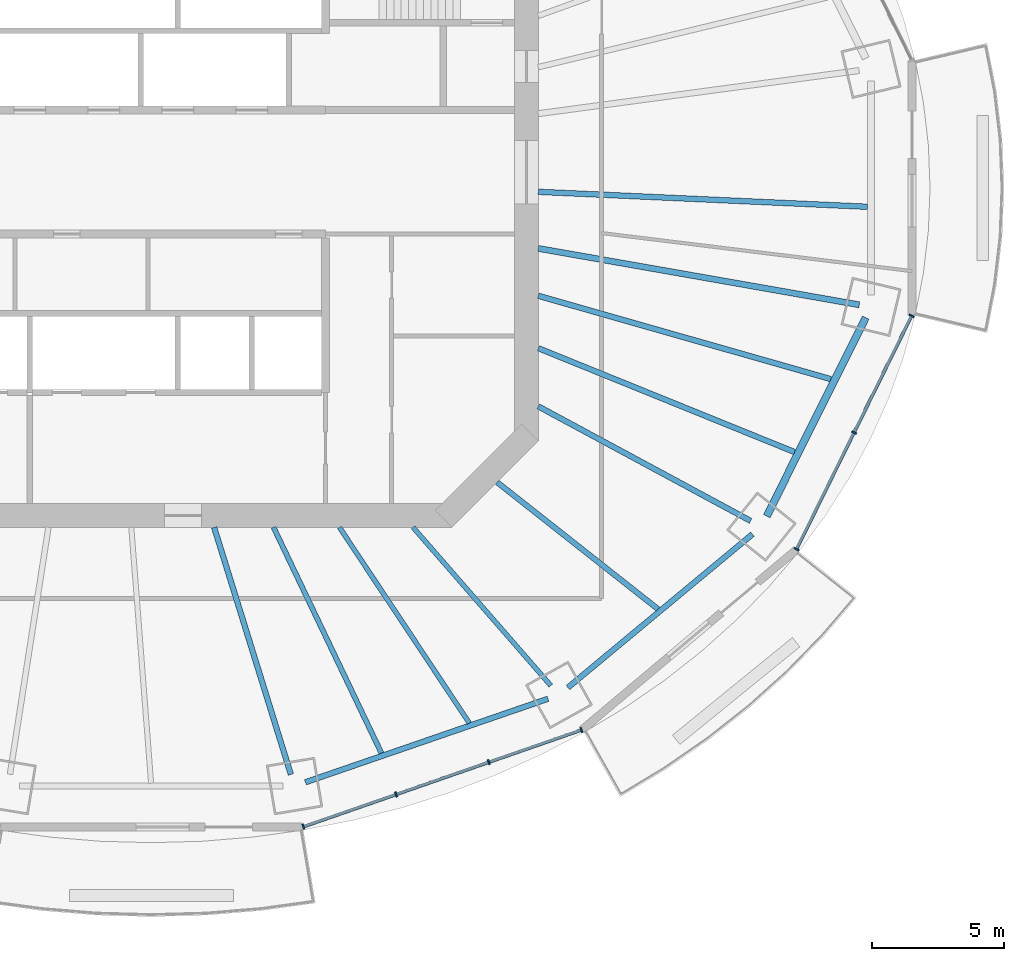
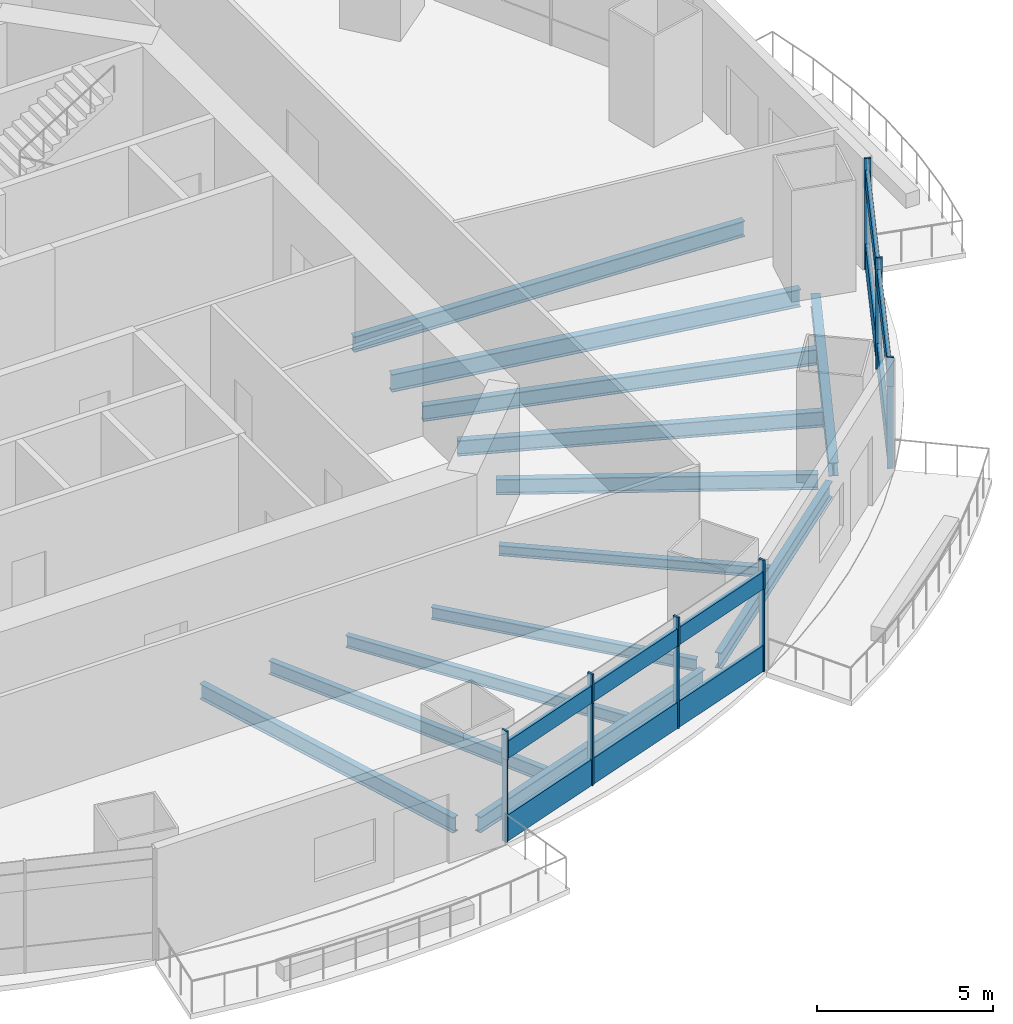
# One storey, part 4 of 16: 18 members, 13 beams, 4 elements without a shape of their own.
"""IFC4 building model written with IfcOpenShell, lengths in metres."""

from ifc_helpers import new_model, si_unit, direction, frame, origin, origin_2d, place, context, subcontext, project, spatial, rectangle, i_section, extrude, material, material_profile, profile_set, type_object, element, aggregate, save


model = new_model("IFC4")

# Units and contexts
model_context = context("Model", 3, precision=1e-05, world=origin(), true_north=direction((0.0, 1.0)))
body_context = subcontext(model_context, "Body", "Model", "MODEL_VIEW")
ifc_project = project(units=[si_unit("LENGTHUNIT", "METRE"), si_unit("AREAUNIT", "SQUARE_METRE"), si_unit("VOLUMEUNIT", "CUBIC_METRE"), si_unit("PLANEANGLEUNIT", "RADIAN"), si_unit("MASSUNIT", "GRAM", prefix="KILO")], contexts=[model_context])

# Site, building, storey
site_placement = place(None, origin())
site = spatial("IfcSite", under=ifc_project, at=site_placement, CompositionType="ELEMENT")
building_placement = place(site_placement, origin())
building = spatial("IfcBuilding", under=site, at=building_placement, Name="Marenthal Gate Tower", CompositionType="ELEMENT")
storey_placement = place(building_placement, frame((0.0, 0.0, 268.949951171875)))
storey = spatial("IfcBuildingStorey", under=building, at=storey_placement, Name="L60", CompositionType="ELEMENT", Elevation=268.949951171875)

# Curtain wall, members
ifc_material_1 = material(Name="Aluminium and glass", Category="aluminium")
curtain_wall_type_1 = type_object("IfcCurtainWallType", Name="Curtain wall typical mid", PredefinedType="NOTDEFINED", material=ifc_material_1)
curtain_wall_1_placement = place(storey_placement, origin())
curtain_wall_1 = element("IfcCurtainWall", 1, at=curtain_wall_1_placement, inside=storey, type_object=curtain_wall_type_1, Name="Curtain wall L60 bay 13", PredefinedType="NOTDEFINED")
ifc_material_2 = material(Name="Aluminium", Category="aluminium")
ifc_material_profile_1 = material_profile(ifc_material_2, rectangle(XDim=0.179931640625, YDim=0.06005859375, at=origin_2d()), Name="60x180 aluminium mullion")
ifc_profile_set_1 = profile_set([ifc_material_profile_1], Name="Aluminium")
member_type_1 = type_object("IfcMemberType", Name="Mullion 60x180 typical mid", PredefinedType="MULLION", material=ifc_profile_set_1)
member_1_placement = place(storey_placement, frame((7.556396484375, -24.7841796875, 0.0), z_axis=(0.0, 0.0, 1.0), x_axis=(-0.328669787971, 0.944444900709, 0.0)))
member_1 = element("IfcMember", 2, at=member_1_placement, type_object=member_type_1, Name="Mullion L60 bay 13.1", PredefinedType="MULLION", context=body_context, shape_type="SweptSolid", body=[
    extrude(rectangle(XDim=0.179931640625, YDim=0.06005859375, at=origin_2d()), origin(), (0.0, 0.0, 1.0), 2.85009765625),
])
member_2_placement = place(storey_placement, frame((11.0654296875, -23.56298828125, 0.0), z_axis=(0.0, 0.0, 1.0), x_axis=(-0.328669787971, 0.944444900709, 0.0)))
member_2 = element("IfcMember", 3, at=member_2_placement, type_object=member_type_1, Name="Mullion L60 bay 13.2", PredefinedType="MULLION", context=body_context, shape_type="SweptSolid", body=[
    extrude(rectangle(XDim=0.179931640625, YDim=0.06005859375, at=origin_2d()), origin(), (0.0, 0.0, 1.0), 2.85009765625),
])
member_3_placement = place(storey_placement, frame((14.57470703125, -22.341796875, 0.0), z_axis=(0.0, 0.0, 1.0), x_axis=(-0.328669787971, 0.944444900709, 0.0)))
member_3 = element("IfcMember", 4, at=member_3_placement, type_object=member_type_1, Name="Mullion L60 bay 13.3", PredefinedType="MULLION", context=body_context, shape_type="SweptSolid", body=[
    extrude(rectangle(XDim=0.179931640625, YDim=0.06005859375, at=origin_2d()), origin(), (0.0, 0.0, 1.0), 2.85009765625),
])
member_4_placement = place(storey_placement, frame((18.083740234375, -21.12060546875, 0.0), z_axis=(0.0, 0.0, 1.0), x_axis=(-0.328669787971, 0.944444900709, 0.0)))
member_4 = element("IfcMember", 5, at=member_4_placement, type_object=member_type_1, Name="Mullion L60 bay 13.4", PredefinedType="MULLION", context=body_context, shape_type="SweptSolid", body=[
    extrude(rectangle(XDim=0.179931640625, YDim=0.06005859375, at=origin_2d()), origin(), (0.0, 0.0, 1.0), 2.85009765625),
])

curtain_wall_2_placement = place(storey_placement, origin())
curtain_wall_2 = element("IfcCurtainWall", 6, at=curtain_wall_2_placement, inside=storey, type_object=curtain_wall_type_1, Name="Curtain wall L60 bay 15", PredefinedType="NOTDEFINED")
member_5_placement = place(storey_placement, frame((26.22607421875, -14.27783203125, 0.0), z_axis=(0.0, 0.0, 1.0), x_axis=(-0.896920632002, 0.442191564697, 0.0)))
member_5 = element("IfcMember", 7, at=member_5_placement, type_object=member_type_1, Name="Mullion L60 bay 15.1", PredefinedType="MULLION", context=body_context, shape_type="SweptSolid", body=[
    extrude(rectangle(XDim=0.179931640625, YDim=0.06005859375, at=origin_2d()), origin(), (0.0, 0.0, 1.0), 2.85009765625),
])
member_6_placement = place(storey_placement, frame((28.40478515625, -9.858642578125, 0.0), z_axis=(0.0, 0.0, 1.0), x_axis=(-0.896920632002, 0.442191564697, 0.0)))
member_6 = element("IfcMember", 8, at=member_6_placement, type_object=member_type_1, Name="Mullion L60 bay 15.2", PredefinedType="MULLION", context=body_context, shape_type="SweptSolid", body=[
    extrude(rectangle(XDim=0.179931640625, YDim=0.06005859375, at=origin_2d()), origin(), (0.0, 0.0, 1.0), 2.85009765625),
])
member_7_placement = place(storey_placement, frame((30.58349609375, -5.439453125, 0.0), z_axis=(0.0, 0.0, 1.0), x_axis=(-0.896920632002, 0.442191564697, 0.0)))
member_7 = element("IfcMember", 9, at=member_7_placement, type_object=member_type_1, Name="Mullion L60 bay 15.3", PredefinedType="MULLION", context=body_context, shape_type="SweptSolid", body=[
    extrude(rectangle(XDim=0.179931640625, YDim=0.06005859375, at=origin_2d()), origin(), (0.0, 0.0, 1.0), 2.85009765625),
])

ifc_material_3 = material(Name="Aluminium and glass", Category="aluminium")
curtain_wall_type_2 = type_object("IfcCurtainWallType", Name="Curtain wall crown clad", PredefinedType="NOTDEFINED", material=ifc_material_3)
curtain_wall_3_placement = place(storey_placement, origin())
curtain_wall_3 = element("IfcCurtainWall", 10, at=curtain_wall_3_placement, inside=storey, type_object=curtain_wall_type_2, Name="Curtain wall L60 bay 13 head band", PredefinedType="NOTDEFINED")
ifc_material_4 = material(Name="Aluminium", Category="aluminium")
ifc_material_profile_2 = material_profile(ifc_material_4, rectangle(XDim=0.199951171875, YDim=0.06005859375, at=origin_2d()), Name="60x200 aluminium mullion")
ifc_profile_set_2 = profile_set([ifc_material_profile_2], Name="Aluminium")
member_type_2 = type_object("IfcMemberType", Name="Mullion 60x200 crown clad", PredefinedType="MULLION", material=ifc_profile_set_2)
member_8_placement = place(storey_placement, frame((7.556396484375, -24.7841796875, 2.85009765625), z_axis=(0.0, 0.0, 1.0), x_axis=(-0.328669787971, 0.944444900709, 0.0)))
member_8 = element("IfcMember", 11, at=member_8_placement, type_object=member_type_2, Name="Mullion L60 bay 13.1", PredefinedType="MULLION", context=body_context, shape_type="SweptSolid", body=[
    extrude(rectangle(XDim=0.199951171875, YDim=0.06005859375, at=origin_2d()), origin(), (0.0, 0.0, 1.0), 1.0),
])
member_9_placement = place(storey_placement, frame((11.0654296875, -23.56298828125, 2.85009765625), z_axis=(0.0, 0.0, 1.0), x_axis=(-0.328669787971, 0.944444900709, 0.0)))
member_9 = element("IfcMember", 12, at=member_9_placement, type_object=member_type_2, Name="Mullion L60 bay 13.2", PredefinedType="MULLION", context=body_context, shape_type="SweptSolid", body=[
    extrude(rectangle(XDim=0.199951171875, YDim=0.06005859375, at=origin_2d()), origin(), (0.0, 0.0, 1.0), 1.0),
])
member_10_placement = place(storey_placement, frame((14.57470703125, -22.341796875, 2.85009765625), z_axis=(0.0, 0.0, 1.0), x_axis=(-0.328669787971, 0.944444900709, 0.0)))
member_10 = element("IfcMember", 13, at=member_10_placement, type_object=member_type_2, Name="Mullion L60 bay 13.3", PredefinedType="MULLION", context=body_context, shape_type="SweptSolid", body=[
    extrude(rectangle(XDim=0.199951171875, YDim=0.06005859375, at=origin_2d()), origin(), (0.0, 0.0, 1.0), 1.0),
])
member_11_placement = place(storey_placement, frame((18.083740234375, -21.12060546875, 2.85009765625), z_axis=(0.0, 0.0, 1.0), x_axis=(-0.328669787971, 0.944444900709, 0.0)))
member_11 = element("IfcMember", 14, at=member_11_placement, type_object=member_type_2, Name="Mullion L60 bay 13.4", PredefinedType="MULLION", context=body_context, shape_type="SweptSolid", body=[
    extrude(rectangle(XDim=0.199951171875, YDim=0.06005859375, at=origin_2d()), origin(), (0.0, 0.0, 1.0), 1.0),
])

curtain_wall_4_placement = place(storey_placement, origin())
curtain_wall_4 = element("IfcCurtainWall", 15, at=curtain_wall_4_placement, inside=storey, type_object=curtain_wall_type_2, Name="Curtain wall L60 bay 15 head band", PredefinedType="NOTDEFINED")
member_12_placement = place(storey_placement, frame((26.22607421875, -14.27783203125, 2.85009765625), z_axis=(0.0, 0.0, 1.0), x_axis=(-0.896920632002, 0.442191564697, 0.0)))
member_12 = element("IfcMember", 16, at=member_12_placement, type_object=member_type_2, Name="Mullion L60 bay 15.1", PredefinedType="MULLION", context=body_context, shape_type="SweptSolid", body=[
    extrude(rectangle(XDim=0.199951171875, YDim=0.06005859375, at=origin_2d()), origin(), (0.0, 0.0, 1.0), 1.0),
])
member_13_placement = place(storey_placement, frame((28.40478515625, -9.858642578125, 2.85009765625), z_axis=(0.0, 0.0, 1.0), x_axis=(-0.896920632002, 0.442191564697, 0.0)))
member_13 = element("IfcMember", 17, at=member_13_placement, type_object=member_type_2, Name="Mullion L60 bay 15.2", PredefinedType="MULLION", context=body_context, shape_type="SweptSolid", body=[
    extrude(rectangle(XDim=0.199951171875, YDim=0.06005859375, at=origin_2d()), origin(), (0.0, 0.0, 1.0), 1.0),
])
member_14_placement = place(storey_placement, frame((30.58349609375, -5.439453125, 2.85009765625), z_axis=(0.0, 0.0, 1.0), x_axis=(-0.896920632002, 0.442191564697, 0.0)))
member_14 = element("IfcMember", 18, at=member_14_placement, type_object=member_type_2, Name="Mullion L60 bay 15.3", PredefinedType="MULLION", context=body_context, shape_type="SweptSolid", body=[
    extrude(rectangle(XDim=0.199951171875, YDim=0.06005859375, at=origin_2d()), origin(), (0.0, 0.0, 1.0), 1.0),
])

# Member
ifc_material_5 = material(Name="Aluminium", Category="aluminium")
ifc_material_profile_3 = material_profile(ifc_material_5, rectangle(XDim=0.1201171875, YDim=0.60009765625, at=origin_2d()), Name="120x600 aluminium transom")
ifc_profile_set_3 = profile_set([ifc_material_profile_3], Name="Aluminium")
member_type_3 = type_object("IfcMemberType", Name="Transom 120x600 crown clad", PredefinedType="USERDEFINED", material=ifc_profile_set_3)
member_15_placement = place(storey_placement, frame((7.584716796875, -24.774169921875, 3.150146484375), z_axis=(0.944445984358, 0.328666674047, 0.0), x_axis=(-0.328666674047, 0.944445984358, 0.0)))
member_15 = element("IfcMember", 19, at=member_15_placement, type_object=member_type_3, Name="Transom L60 bay 13", ObjectType="TRANSOM", PredefinedType="USERDEFINED", context=body_context, shape_type="SweptSolid", body=[
    extrude(rectangle(XDim=0.1201171875, YDim=0.60009765625, at=origin_2d()), origin(), (0.0, 0.0, 1.0), 11.086669921875),
])

aggregate(curtain_wall_3, [member_8, member_9, member_10, member_11, member_15])

member_16_placement = place(storey_placement, frame((26.2392578125, -14.2509765625, 3.150146484375), z_axis=(0.442201293044, 0.896915835756, 0.0), x_axis=(-0.896915835756, 0.442201293044, 0.0)))
member_16 = element("IfcMember", 20, at=member_16_placement, type_object=member_type_3, Name="Transom L60 bay 15", ObjectType="TRANSOM", PredefinedType="USERDEFINED", context=body_context, shape_type="SweptSolid", body=[
    extrude(rectangle(XDim=0.1201171875, YDim=0.60009765625, at=origin_2d()), origin(), (0.0, 0.0, 1.0), 9.794189453125),
])

aggregate(curtain_wall_4, [member_12, member_13, member_14, member_16])

ifc_material_6 = material(Name="Aluminium", Category="aluminium")
ifc_material_profile_4 = material_profile(ifc_material_6, rectangle(XDim=0.1201171875, YDim=0.89990234375, at=origin_2d()), Name="120x900 aluminium transom")
ifc_profile_set_4 = profile_set([ifc_material_profile_4], Name="Aluminium")
member_type_4 = type_object("IfcMemberType", Name="Transom 120x900 typical mid", PredefinedType="USERDEFINED", material=ifc_profile_set_4)
member_17_placement = place(storey_placement, frame((7.584716796875, -24.774169921875, 0.449951171875), z_axis=(0.944445984358, 0.328666674047, 0.0), x_axis=(-0.328666674047, 0.944445984358, 0.0)))
member_17 = element("IfcMember", 21, at=member_17_placement, type_object=member_type_4, Name="Transom L60 bay 13", ObjectType="TRANSOM", PredefinedType="USERDEFINED", context=body_context, shape_type="SweptSolid", body=[
    extrude(rectangle(XDim=0.1201171875, YDim=0.89990234375, at=origin_2d()), origin(), (0.0, 0.0, 1.0), 11.086669921875),
])

aggregate(curtain_wall_1, [member_1, member_2, member_3, member_4, member_17])

member_18_placement = place(storey_placement, frame((26.2392578125, -14.2509765625, 0.449951171875), z_axis=(0.442201293044, 0.896915835756, 0.0), x_axis=(-0.896915835756, 0.442201293044, 0.0)))
member_18 = element("IfcMember", 22, at=member_18_placement, type_object=member_type_4, Name="Transom L60 bay 15", ObjectType="TRANSOM", PredefinedType="USERDEFINED", context=body_context, shape_type="SweptSolid", body=[
    extrude(rectangle(XDim=0.1201171875, YDim=0.89990234375, at=origin_2d()), origin(), (0.0, 0.0, 1.0), 9.794189453125),
])

aggregate(curtain_wall_2, [member_5, member_6, member_7, member_18])

# Beams
ifc_material_7 = material(Name="Steel S355", Category="steel")
ifc_material_profile_5 = material_profile(ifc_material_7, i_section(OverallWidth=0.205078125, OverallDepth=0.35302734375, WebThickness=0.009521484375, FlangeThickness=0.016845703125, FilletRadius=0.014892578125, at=origin_2d()), Name="W360X79")
ifc_profile_set_5 = profile_set([ifc_material_profile_5], Name="Steel S355")
beam_type_1 = type_object("IfcBeamType", Name="W360X79 beam", PredefinedType="BEAM", material=ifc_profile_set_5)
beam_1_placement = place(storey_placement, frame((20.981689453125, -16.544921875, -0.3564453125), z_axis=(-0.785242081101, 0.619188883999, 0.0), x_axis=(-0.619188883999, -0.785242081101, 0.0)))
element("IfcBeam", 23, at=beam_1_placement, inside=storey, type_object=beam_type_1, Name="BM-L60-37", PredefinedType="BEAM", context=body_context, shape_type="SweptSolid", body=[
    extrude(i_section(OverallWidth=0.205078125, OverallDepth=0.35302734375, WebThickness=0.009521484375, FlangeThickness=0.016845703125, FilletRadius=0.014892578125, at=origin_2d()), origin(), (0.0, 0.0, 1.0), 7.754150390625),
])
ifc_material_8 = material(Name="Steel S355", Category="steel")
ifc_material_profile_6 = material_profile(ifc_material_8, i_section(OverallWidth=0.180908203125, OverallDepth=0.4169921875, WebThickness=0.010986328125, FlangeThickness=0.018310546875, FilletRadius=0.01025390625, at=origin_2d()), Name="W410X85")
ifc_profile_set_6 = profile_set([ifc_material_profile_6], Name="Steel S355")
beam_type_2 = type_object("IfcBeamType", Name="W410X85 beam", PredefinedType="BEAM", material=ifc_profile_set_6)
beam_2_placement = place(storey_placement, frame((16.9248046875, -19.441650390625, -0.388427734375), z_axis=(-0.656583411742, 0.754253421222, 0.0), x_axis=(-0.754253421222, -0.656583411742, 0.0)))
element("IfcBeam", 24, at=beam_2_placement, inside=storey, type_object=beam_type_2, Name="BM-L60-14", PredefinedType="BEAM", context=body_context, shape_type="SweptSolid", body=[
    extrude(i_section(OverallWidth=0.180908203125, OverallDepth=0.4169921875, WebThickness=0.010986328125, FlangeThickness=0.018310546875, FilletRadius=0.01025390625, at=origin_2d()), origin(), (0.0, 0.0, 1.0), 7.94384765625),
])
beam_3_placement = place(storey_placement, frame((13.835693359375, -20.85498046875, -0.388427734375), z_axis=(-0.552822132695, 0.833299279732, 0.0), x_axis=(-0.833299279732, -0.552822132695, 0.0)))
element("IfcBeam", 25, at=beam_3_placement, inside=storey, type_object=beam_type_2, Name="BM-L60-36", PredefinedType="BEAM", context=body_context, shape_type="SweptSolid", body=[
    extrude(i_section(OverallWidth=0.180908203125, OverallDepth=0.4169921875, WebThickness=0.010986328125, FlangeThickness=0.018310546875, FilletRadius=0.01025390625, at=origin_2d()), origin(), (0.0, 0.0, 1.0), 8.886474609375),
])
ifc_material_9 = material(Name="Steel S355", Category="steel")
ifc_material_profile_7 = material_profile(ifc_material_9, i_section(OverallWidth=0.279052734375, OverallDepth=0.4619140625, WebThickness=0.0107421875, FlangeThickness=0.017333984375, FilletRadius=0.010009765625, at=origin_2d()), Name="W460X113")
ifc_profile_set_7 = profile_set([ifc_material_profile_7], Name="Steel S355")
beam_type_3 = type_object("IfcBeamType", Name="W460X113 beam", PredefinedType="BEAM", material=ifc_profile_set_7)
beam_4_placement = place(storey_placement, frame((25.098388671875, -13.027099609375, -0.410888671875), z_axis=(0.446074295106, 0.894995934765, 0.0), x_axis=(-0.894995934765, 0.446074295106, 0.0)))
element("IfcBeam", 26, at=beam_4_placement, inside=storey, type_object=beam_type_3, Name="BM-L60-55", PredefinedType="BEAM", context=body_context, shape_type="SweptSolid", body=[
    extrude(i_section(OverallWidth=0.279052734375, OverallDepth=0.4619140625, WebThickness=0.0107421875, FlangeThickness=0.017333984375, FilletRadius=0.010009765625, at=origin_2d()), origin(), (0.0, 0.0, 1.0), 8.40283203125),
])
ifc_material_10 = material(Name="Steel S355", Category="steel")
ifc_material_profile_8 = material_profile(ifc_material_10, i_section(OverallWidth=0.193115234375, OverallDepth=0.467041015625, WebThickness=0.011474609375, FlangeThickness=0.01904296875, FilletRadius=0.010009765625, at=origin_2d()), Name="W460X97")
ifc_profile_set_8 = profile_set([ifc_material_profile_8], Name="Steel S355")
beam_type_4 = type_object("IfcBeamType", Name="W460X97 beam", PredefinedType="BEAM", material=ifc_profile_set_8)
beam_5_placement = place(storey_placement, frame((10.511962890625, -21.9990234375, -0.413330078125), z_axis=(-0.431135442532, 0.902287221561, 0.0), x_axis=(-0.902287221561, -0.431135442532, 0.0)))
element("IfcBeam", 27, at=beam_5_placement, inside=storey, type_object=beam_type_4, Name="BM-L60-35", PredefinedType="BEAM", context=body_context, shape_type="SweptSolid", body=[
    extrude(i_section(OverallWidth=0.193115234375, OverallDepth=0.467041015625, WebThickness=0.011474609375, FlangeThickness=0.01904296875, FilletRadius=0.010009765625, at=origin_2d()), origin(), (0.0, 0.0, 1.0), 9.474853515625),
])
ifc_material_11 = material(Name="Steel S355", Category="steel")
ifc_material_profile_9 = material_profile(ifc_material_11, i_section(OverallWidth=0.2099609375, OverallDepth=0.535888671875, WebThickness=0.010986328125, FlangeThickness=0.017333984375, FilletRadius=0.0126953125, at=origin_2d()), Name="W530X101")
ifc_profile_set_9 = profile_set([ifc_material_profile_9], Name="Steel S355")
beam_type_5 = type_object("IfcBeamType", Name="W530X101 beam", PredefinedType="BEAM", material=ifc_profile_set_9)
beam_6_placement = place(storey_placement, frame((7.08349609375, -22.805908203125, -0.447998046875), z_axis=(-0.296625732146, 0.954993808896, 0.0), x_axis=(-0.954993808896, -0.296625732146, 0.0)))
element("IfcBeam", 28, at=beam_6_placement, inside=storey, type_object=beam_type_5, Name="BM-L60-13", PredefinedType="BEAM", context=body_context, shape_type="SweptSolid", body=[
    extrude(i_section(OverallWidth=0.2099609375, OverallDepth=0.535888671875, WebThickness=0.010986328125, FlangeThickness=0.017333984375, FilletRadius=0.0126953125, at=origin_2d()), origin(), (0.0, 0.0, 1.0), 9.796875),
])
beam_7_placement = place(storey_placement, frame((24.489013671875, -13.205810546875, -0.447998046875), z_axis=(-0.880185977713, 0.474628954697, 0.0), x_axis=(-0.474628954697, -0.880185977713, 0.0)))
element("IfcBeam", 29, at=beam_7_placement, inside=storey, type_object=beam_type_5, Name="BM-L60-15", PredefinedType="BEAM", context=body_context, shape_type="SweptSolid", body=[
    extrude(i_section(OverallWidth=0.2099609375, OverallDepth=0.535888671875, WebThickness=0.010986328125, FlangeThickness=0.017333984375, FilletRadius=0.0126953125, at=origin_2d()), origin(), (0.0, 0.0, 1.0), 9.13330078125),
])
beam_8_placement = place(storey_placement, frame((26.152099609375, -10.60009765625, -0.447998046875), z_axis=(-0.926762089721, 0.375648810801, 0.0), x_axis=(-0.375648810801, -0.926762089721, 0.0)))
element("IfcBeam", 30, at=beam_8_placement, inside=storey, type_object=beam_type_5, Name="BM-L60-38", PredefinedType="BEAM", context=body_context, shape_type="SweptSolid", body=[
    extrude(i_section(OverallWidth=0.2099609375, OverallDepth=0.535888671875, WebThickness=0.010986328125, FlangeThickness=0.017333984375, FilletRadius=0.0126953125, at=origin_2d()), origin(), (0.0, 0.0, 1.0), 10.46875),
])
ifc_material_12 = material(Name="Steel S355", Category="steel")
ifc_material_profile_10 = material_profile(ifc_material_12, i_section(OverallWidth=0.2119140625, OverallDepth=0.5439453125, WebThickness=0.01318359375, FlangeThickness=0.021240234375, FilletRadius=0.0126953125, at=origin_2d()), Name="W530X123")
ifc_profile_set_10 = profile_set([ifc_material_profile_10], Name="Steel S355")
beam_type_6 = type_object("IfcBeamType", Name="W530X123 beam", PredefinedType="BEAM", material=ifc_profile_set_10)
beam_9_placement = place(storey_placement, frame((27.528076171875, -7.839599609375, -0.451904296875), z_axis=(-0.961761933895, 0.273886806016, 0.0), x_axis=(-0.273886806016, -0.961761933895, 0.0)))
element("IfcBeam", 31, at=beam_9_placement, inside=storey, type_object=beam_type_6, Name="BM-L60-39", PredefinedType="BEAM", context=body_context, shape_type="SweptSolid", body=[
    extrude(i_section(OverallWidth=0.2119140625, OverallDepth=0.5439453125, WebThickness=0.01318359375, FlangeThickness=0.021240234375, FilletRadius=0.0126953125, at=origin_2d()), origin(), (0.0, 0.0, 1.0), 11.5185546875),
])
beam_10_placement = place(storey_placement, frame((28.90771484375, -1.314208984375, -0.451904296875), z_axis=(-0.998968015393, 0.045419205435, 0.0), x_axis=(-0.045419205435, -0.998968015393, 0.0)))
element("IfcBeam", 32, at=beam_10_placement, inside=storey, type_object=beam_type_6, Name="BM-L60-40", PredefinedType="BEAM", context=body_context, shape_type="SweptSolid", body=[
    extrude(i_section(OverallWidth=0.2119140625, OverallDepth=0.5439453125, WebThickness=0.01318359375, FlangeThickness=0.021240234375, FilletRadius=0.0126953125, at=origin_2d()), origin(), (0.0, 0.0, 1.0), 12.470703125),
])
beam_11_placement = place(storey_placement, frame((7.634033203125, -23.101806640625, -0.451904296875), z_axis=(0.945541390223, 0.325501888434, 0.0), x_axis=(-0.325501888434, 0.945541390223, 0.0)))
element("IfcBeam", 33, at=beam_11_placement, inside=storey, type_object=beam_type_6, Name="BM-L60-53", PredefinedType="BEAM", context=body_context, shape_type="SweptSolid", body=[
    extrude(i_section(OverallWidth=0.2119140625, OverallDepth=0.5439453125, WebThickness=0.01318359375, FlangeThickness=0.021240234375, FilletRadius=0.0126953125, at=origin_2d()), origin(), (0.0, 0.0, 1.0), 9.7138671875),
])
beam_12_placement = place(storey_placement, frame((17.57373046875, -19.514892578125, -0.451904296875), z_axis=(0.769071224025, 0.639163087464, 0.0), x_axis=(-0.639163087464, 0.769071224025, 0.0)))
element("IfcBeam", 34, at=beam_12_placement, inside=storey, type_object=beam_type_6, Name="BM-L60-54", PredefinedType="BEAM", context=body_context, shape_type="SweptSolid", body=[
    extrude(i_section(OverallWidth=0.2119140625, OverallDepth=0.5439453125, WebThickness=0.01318359375, FlangeThickness=0.021240234375, FilletRadius=0.0126953125, at=origin_2d()), origin(), (0.0, 0.0, 1.0), 9.0810546875),
])
ifc_material_13 = material(Name="Steel S355", Category="steel")
ifc_material_profile_11 = material_profile(ifc_material_13, i_section(OverallWidth=0.22900390625, OverallDepth=0.612060546875, WebThickness=0.011962890625, FlangeThickness=0.01953125, FilletRadius=0.0126953125, at=origin_2d()), Name="W610X125")
ifc_profile_set_11 = profile_set([ifc_material_profile_11], Name="Steel S355")
beam_type_7 = type_object("IfcBeamType", Name="W610X125 beam", PredefinedType="BEAM", material=ifc_profile_set_11)
beam_13_placement = place(storey_placement, frame((28.602294921875, -5.02587890625, -0.48583984375), z_axis=(-0.984911969998, 0.173056093089, 0.0), x_axis=(-0.173056093089, -0.984911969998, 0.0)))
element("IfcBeam", 35, at=beam_13_placement, inside=storey, type_object=beam_type_7, Name="BM-L60-16", PredefinedType="BEAM", context=body_context, shape_type="SweptSolid", body=[
    extrude(i_section(OverallWidth=0.22900390625, OverallDepth=0.612060546875, WebThickness=0.011962890625, FlangeThickness=0.01953125, FilletRadius=0.0126953125, at=origin_2d()), origin(), (0.0, 0.0, 1.0), 12.338623046875),
])

save(model, "model.ifc")
